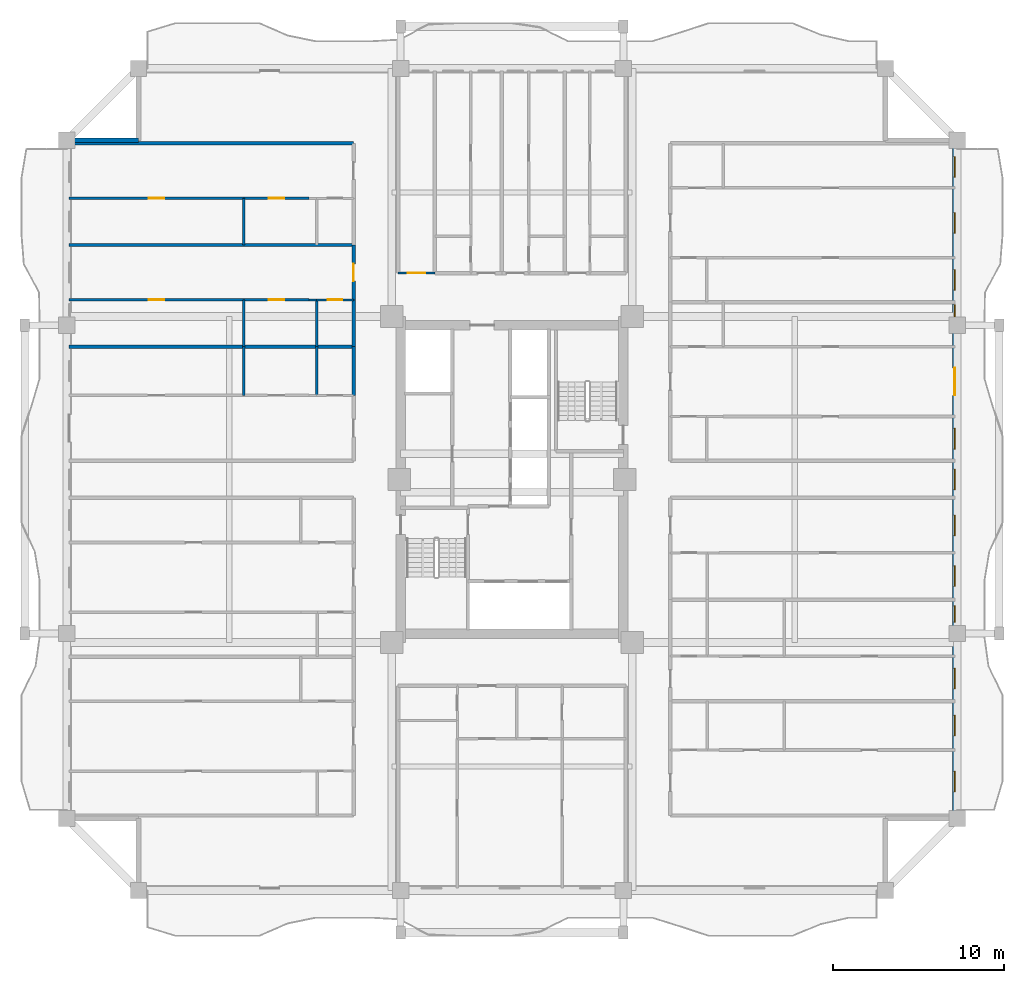
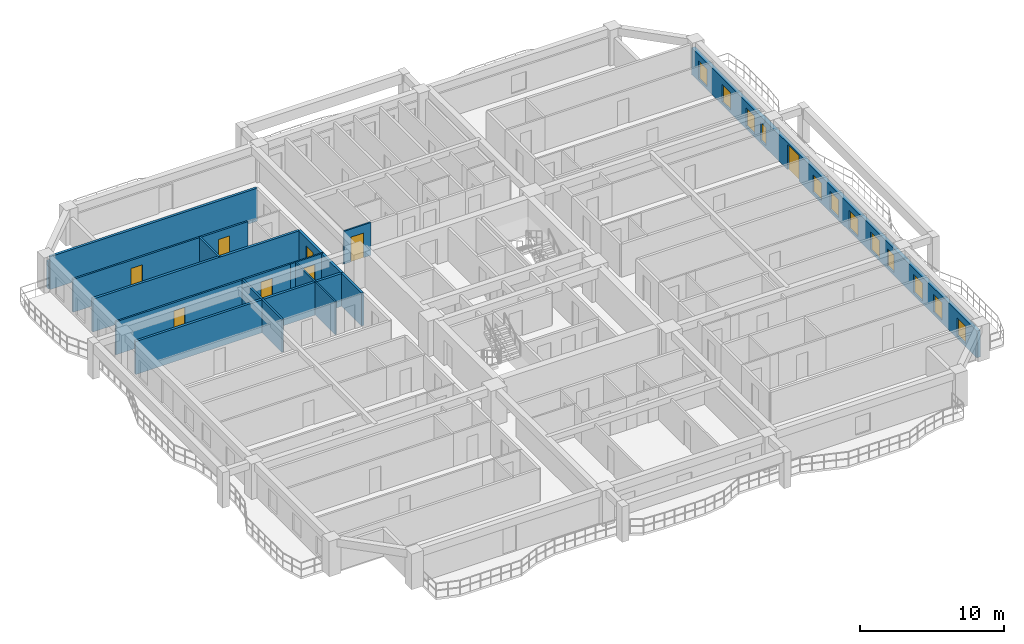
# One storey, part 6 of 14: 20 walls, 12 windows, 8 doors, 20 openings.
"""IFC4 building model written with IfcOpenShell, lengths in metres."""

import ifcopenshell
import ifcopenshell.guid

model = None  # the IFC model being written
_history = None  # IfcOwnerHistory: only IFC2X3 demands one
_inside = {}  # id of a spatial element -> (the spatial element, [elements in it])
_under = {}  # id of a project, library or spatial element -> (it, [spatial elements below it])
_declared = {}  # id of a project -> (the project, [libraries it declares])
_typed = {}  # id of a type object -> (the type object, [elements of that type])
_made_of = {}  # id of a material, layer set ... -> (it, [elements and type objects made of it])


def new_model(schema):
    """Start an empty IFC model of exactly this schema.

    Asked for "IFC4X3", IfcOpenShell would pick the latest addendum, in which some entities
    have other attributes; the version numbers below select the first issue.
    IFC2X3 requires an IfcOwnerHistory on every rooted entity: one is made here for all.
    """
    global model, _history
    if schema == "IFC4X3":
        model = ifcopenshell.file(schema_version=(4, 3, 0, 0))
    else:
        model = ifcopenshell.file(schema=schema)
    _inside.clear()
    _under.clear()
    _declared.clear()
    _typed.clear()
    _made_of.clear()
    _history = None
    if model.schema == "IFC2X3":
        org = make("IfcOrganization", Name="unknown")
        user = make(
            "IfcPersonAndOrganization",
            ThePerson=make("IfcPerson", FamilyName="unknown"),
            TheOrganization=org,
        )
        app = make(
            "IfcApplication",
            ApplicationDeveloper=org,
            Version="unknown",
            ApplicationFullName="unknown",
            ApplicationIdentifier="unknown",
        )
        _history = make(
            "IfcOwnerHistory",
            OwningUser=user,
            OwningApplication=app,
            ChangeAction="ADDED",
            CreationDate=0,
        )
    return model


def make(cls, **values):
    """One entity of the class cls with the attributes given. An attribute that is None is left unset."""
    return model.create_entity(
        cls, **{name: value for name, value in values.items() if value is not None}
    )


def rooted(cls, **values):
    """An entity with a GlobalId (a new one), such as an element, a storey or a relation."""
    return make(cls, GlobalId=ifcopenshell.guid.new(), OwnerHistory=_history, **values)


def si_unit(unit_type, name, prefix=None):
    """IfcSIUnit, for example si_unit("LENGTHUNIT", "METRE", prefix="MILLI")."""
    return make("IfcSIUnit", UnitType=unit_type, Prefix=prefix, Name=name)


def assignment(units):
    """IfcUnitAssignment: the units of a project."""
    return None if units is None else make("IfcUnitAssignment", Units=units)


def point(xyz):
    """IfcCartesianPoint."""
    return None if xyz is None else make("IfcCartesianPoint", Coordinates=xyz)


def direction(xyz):
    """IfcDirection."""
    return None if xyz is None else make("IfcDirection", DirectionRatios=xyz)


def frame(location, z_axis=None, x_axis=None):
    """IfcAxis2Placement3D, a coordinate frame: its origin and axes. An axis left out is left unset."""
    return make(
        "IfcAxis2Placement3D",
        Location=point(location),
        Axis=direction(z_axis),
        RefDirection=direction(x_axis),
    )


def frame_2d(location, x_axis=None):
    """IfcAxis2Placement2D, a coordinate frame in the plane: its origin and x axis."""
    return make(
        "IfcAxis2Placement2D", Location=point(location), RefDirection=direction(x_axis)
    )


def origin():
    """The frame at (0, 0, 0) with its axes left unset."""
    return frame((0.0, 0.0, 0.0))


def place(relative_to, where):
    """IfcLocalPlacement: puts the frame where relative to a parent placement (None: the world)."""
    return make(
        "IfcLocalPlacement", PlacementRelTo=relative_to, RelativePlacement=where
    )


def context(
    kind, dimensions, precision=None, world=None, true_north=None, identifier=None
):
    """IfcGeometricRepresentationContext, for example the 3D "Model" context."""
    return make(
        "IfcGeometricRepresentationContext",
        ContextIdentifier=identifier,
        ContextType=kind,
        CoordinateSpaceDimension=dimensions,
        Precision=precision,
        WorldCoordinateSystem=world,
        TrueNorth=true_north,
    )


def subcontext(parent, identifier, kind, view, scale=None):
    """IfcGeometricRepresentationSubContext, for example "Body" below "Model"."""
    return make(
        "IfcGeometricRepresentationSubContext",
        ContextIdentifier=identifier,
        ContextType=kind,
        ParentContext=parent,
        TargetScale=scale,
        TargetView=view,
    )


def project(units=None, contexts=None):
    """IfcProject with its units and contexts."""
    return rooted(
        "IfcProject",
        Name="project",
        RepresentationContexts=contexts,
        UnitsInContext=assignment(units),
    )


def spatial(cls, under=None, at=None, **own):
    """A site, building, storey or space (cls), placed at a placement, below another one or the project."""
    s = rooted(cls, ObjectPlacement=at, **own)
    if under is not None:
        _under.setdefault(under.id(), (under, []))[1].append(s)
    return s


def profile(cls, at=None, kind="AREA", **sizes):
    """A parametric profile (cls). Its sizes go by their IFC names, for example OverallWidth=200.0."""
    return make(cls, ProfileType=kind, Position=at, **sizes)


def rectangle(**sizes):
    """IfcRectangleProfileDef."""
    return profile("IfcRectangleProfileDef", **sizes)


def extrude(swept, where, along, depth):
    """IfcExtrudedAreaSolid: the profile swept, set in the frame where, extruded along a direction by depth."""
    return make(
        "IfcExtrudedAreaSolid",
        SweptArea=swept,
        Position=where,
        ExtrudedDirection=direction(along),
        Depth=depth,
    )


def shape(context_of_items, identifier, shape_type, items):
    """IfcShapeRepresentation: the items that make up one representation, for example the "Body"."""
    return make(
        "IfcShapeRepresentation",
        ContextOfItems=context_of_items,
        RepresentationIdentifier=identifier,
        RepresentationType=shape_type,
        Items=items,
    )


def source(mapping_origin, context_of_items, identifier, shape_type, items):
    """IfcRepresentationMap: a shape defined once, which mapped items show again and again."""
    return make(
        "IfcRepresentationMap",
        MappingOrigin=mapping_origin,
        MappedRepresentation=shape(context_of_items, identifier, shape_type, items),
    )


def transform(
    local_origin,
    x_axis=None,
    y_axis=None,
    z_axis=None,
    scale=None,
    scale2=None,
    scale3=None,
    uniform=True,
):
    """IfcCartesianTransformationOperator3D, or its non-uniform kind. x_axis, y_axis, z_axis: its Axis1, 2, 3."""
    if uniform:
        return make(
            "IfcCartesianTransformationOperator3D",
            Axis1=direction(x_axis),
            Axis2=direction(y_axis),
            LocalOrigin=point(local_origin),
            Scale=scale,
            Axis3=direction(z_axis),
        )
    return make(
        "IfcCartesianTransformationOperator3DnonUniform",
        Axis1=direction(x_axis),
        Axis2=direction(y_axis),
        LocalOrigin=point(local_origin),
        Scale=scale,
        Axis3=direction(z_axis),
        Scale2=scale2,
        Scale3=scale3,
    )


def mapped(mapping_source, mapping_target):
    """IfcMappedItem: shows the shape of a source again, moved by a transform."""
    return make(
        "IfcMappedItem", MappingSource=mapping_source, MappingTarget=mapping_target
    )


def material(Name=None, Category=None):
    """IfcMaterial."""
    return make("IfcMaterial", Name=Name, Category=Category)


def layer(
    of_material, thickness, ventilated=None, Name=None, Category=None, Priority=None
):
    """IfcMaterialLayer: one layer of a wall or slab, of a material (None: an air gap)."""
    return make(
        "IfcMaterialLayer",
        Material=of_material,
        LayerThickness=thickness,
        IsVentilated=ventilated,
        Name=Name,
        Category=Category,
        Priority=Priority,
    )


def layer_set(layers, Name=None):
    """IfcMaterialLayerSet."""
    return make("IfcMaterialLayerSet", MaterialLayers=layers, LayerSetName=Name)


def made_of(thing, what):
    """Note that an element or type object is made of a material, layer set ...; save() writes the relation."""
    if what is not None:
        _made_of.setdefault(what.id(), (what, []))[1].append(thing)
    return thing


def type_object(cls, material=None, **own):
    """A type object (cls), such as IfcWallType, which elements share."""
    return made_of(rooted(cls, **own), material)


def element(
    cls,
    number,
    at=None,
    inside=None,
    cuts=None,
    type_object=None,
    material=None,
    context=None,
    identifier="Body",
    shape_type=None,
    held_by="IfcProductDefinitionShape",
    body=None,
    shapes=None,
    **own,
):
    """One element of the class cls, such as IfcWall. Its Tag is "e" and its number.

    at: its placement. inside: the storey or other place that contains it. cuts: it is an
    opening in that element (IfcRelVoidsElement). A single representation is given by context,
    identifier, shape_type and body (its items); several are given by shapes. held_by: the class
    of the entity that holds the representations. save() writes the other relations.
    """
    e = rooted(cls, Tag="e%d" % number, ObjectPlacement=at, **own)
    if body is not None:
        shapes = [shape(context, identifier, shape_type, body)]
    if shapes is not None:
        e.Representation = make(held_by, Representations=shapes)
    if inside is not None:
        _inside.setdefault(inside.id(), (inside, []))[1].append(e)
    if cuts is not None:
        rooted(
            "IfcRelVoidsElement", RelatingBuildingElement=cuts, RelatedOpeningElement=e
        )
    if type_object is not None:
        _typed.setdefault(type_object.id(), (type_object, []))[1].append(e)
    return made_of(e, material)


def fill(opening, filler):
    """IfcRelFillsElement: the door or window that sits in an opening."""
    return rooted(
        "IfcRelFillsElement",
        RelatingOpeningElement=opening,
        RelatedBuildingElement=filler,
    )


def aggregate(whole, parts):
    """IfcRelAggregates: a whole, such as a stair, and the parts it consists of."""
    return rooted("IfcRelAggregates", RelatingObject=whole, RelatedObjects=parts)


def save(model, path):
    """Write the relations noted so far, then the file.

    IfcRelAggregates (storeys below a building ...), IfcRelContainedInSpatialStructure (elements
    in a storey), IfcRelDefinesByType, IfcRelAssociatesMaterial and IfcRelDeclares: one each for
    every whole, place, type object, material and project.
    """
    for whole, parts in _under.values():
        aggregate(whole, parts)
    for where, things in _inside.values():
        rooted(
            "IfcRelContainedInSpatialStructure",
            RelatedElements=things,
            RelatingStructure=where,
        )
    for kind, things in _typed.values():
        rooted("IfcRelDefinesByType", RelatedObjects=things, RelatingType=kind)
    for what, things in _made_of.values():
        rooted("IfcRelAssociatesMaterial", RelatedObjects=things, RelatingMaterial=what)
    for by, libraries in _declared.values():
        rooted("IfcRelDeclares", RelatingContext=by, RelatedDefinitions=libraries)
    model.write(path)


model = new_model("IFC4")

# Units and contexts
model_context = context("Model", 3, precision=1e-05, world=origin(), true_north=direction((0.0, 1.0)))
body_context = subcontext(model_context, "Body", "Model", "MODEL_VIEW")
ifc_project = project(units=[si_unit("LENGTHUNIT", "METRE"), si_unit("AREAUNIT", "SQUARE_METRE"), si_unit("VOLUMEUNIT", "CUBIC_METRE"), si_unit("PLANEANGLEUNIT", "RADIAN"), si_unit("MASSUNIT", "GRAM", prefix="KILO")], contexts=[model_context])

# Site, building, storey
site_placement = place(None, origin())
site = spatial("IfcSite", under=ifc_project, at=site_placement, CompositionType="ELEMENT")
building_placement = place(site_placement, origin())
building = spatial("IfcBuilding", under=site, at=building_placement, Name="Saelheon Loggia Tower", CompositionType="ELEMENT")
storey_placement = place(building_placement, frame((0.0, 0.0, 113.85009765625)))
storey = spatial("IfcBuildingStorey", under=building, at=storey_placement, Name="L36", CompositionType="ELEMENT", Elevation=113.85009765625)

# Wall, openings, windows, door
ifc_material_1 = material(Name="Architectural Precast Concrete C40/50", Category="concrete")
ifc_layer_1 = layer(ifc_material_1, 0.280029296875)
ifc_layer_set_1 = layer_set([ifc_layer_1], Name="Architectural Precast Concrete C40/50")
wall_type_1 = type_object("IfcWallType", Name="Wall_Ext_Loggia_280", PredefinedType="SOLIDWALL", material=ifc_layer_set_1)
wall_1_placement = place(storey_placement, frame((63.860107421875, 7.199951171875, 0.0), z_axis=(0.0, 0.0, 1.0), x_axis=(0.0, 1.0, 0.0)))
wall_1 = element("IfcWall", 1, at=wall_1_placement, inside=storey, type_object=wall_type_1, Name="L36 East Loggia Inner Wall", PredefinedType="SOLIDWALL", context=body_context, shape_type="SweptSolid", body=[
    extrude(rectangle(XDim=39.60009765625, YDim=0.280029296875, at=frame_2d((19.800048828125, 0.0))), origin(), (0.0, 0.0, 1.0), 2.27978515625),
])
opening_1_placement = place(wall_1_placement, frame((1.559814453125, 0.0, 0.25)))
opening_1 = element("IfcOpeningElement", 2, at=opening_1_placement, cuts=wall_1, Name="Opening WN-03", PredefinedType="OPENING", context=body_context, shape_type="SweptSolid", body=[
    extrude(rectangle(XDim=1.199951171875, YDim=1.5, at=frame_2d((0.60009765625, 0.75))), frame((0.0, 0.152099609375, 0.0), z_axis=(0.0, -1.0, 0.0), x_axis=(1.0, 0.0, 0.0)), (0.0, 0.0, 1.0), 0.303955078125),
])
opening_2_placement = place(wall_1_placement, frame((4.829345703125, 0.0, 0.25)))
opening_2 = element("IfcOpeningElement", 3, at=opening_2_placement, cuts=wall_1, Name="Opening WN-03", PredefinedType="OPENING", context=body_context, shape_type="SweptSolid", body=[
    extrude(rectangle(XDim=1.199951171875, YDim=1.5, at=frame_2d((0.60009765625, 0.75))), frame((0.0, 0.152099609375, 0.0), z_axis=(0.0, -1.0, 0.0), x_axis=(1.0, 0.0, 0.0)), (0.0, 0.0, 1.0), 0.303955078125),
])
opening_3_placement = place(wall_1_placement, frame((7.567138671875, 0.0, 0.25)))
opening_3 = element("IfcOpeningElement", 4, at=opening_3_placement, cuts=wall_1, Name="Opening WN-03", PredefinedType="OPENING", context=body_context, shape_type="SweptSolid", body=[
    extrude(rectangle(XDim=1.199951171875, YDim=1.5, at=frame_2d((0.60009765625, 0.75))), frame((0.0, 0.152099609375, 0.0), z_axis=(0.0, -1.0, 0.0), x_axis=(1.0, 0.0, 0.0)), (0.0, 0.0, 1.0), 0.303955078125),
])
opening_4_placement = place(wall_1_placement, frame((11.47607421875, 0.0, 0.25)))
opening_4 = element("IfcOpeningElement", 5, at=opening_4_placement, cuts=wall_1, Name="Opening WN-04", PredefinedType="OPENING", context=body_context, shape_type="SweptSolid", body=[
    extrude(rectangle(XDim=0.949951171875, YDim=1.5, at=frame_2d((0.47509765625, 0.75))), frame((0.0, 0.152099609375, 0.0), z_axis=(0.0, -1.0, 0.0), x_axis=(1.0, 0.0, 0.0)), (0.0, 0.0, 1.0), 0.303955078125),
])
opening_5_placement = place(wall_1_placement, frame((13.5517578125, 0.0, 0.25)))
opening_5 = element("IfcOpeningElement", 6, at=opening_5_placement, cuts=wall_1, Name="Opening WN-03", PredefinedType="OPENING", context=body_context, shape_type="SweptSolid", body=[
    extrude(rectangle(XDim=1.199951171875, YDim=1.5, at=frame_2d((0.60009765625, 0.75))), frame((0.0, 0.152099609375, 0.0), z_axis=(0.0, -1.0, 0.0), x_axis=(1.0, 0.0, 0.0)), (0.0, 0.0, 1.0), 0.303955078125),
])
opening_6_placement = place(wall_1_placement, frame((16.51806640625, 0.0, 0.25)))
opening_6 = element("IfcOpeningElement", 7, at=opening_6_placement, cuts=wall_1, Name="Opening WN-03", PredefinedType="OPENING", context=body_context, shape_type="SweptSolid", body=[
    extrude(rectangle(XDim=1.199951171875, YDim=1.5, at=frame_2d((0.60009765625, 0.75))), frame((0.0, 0.152099609375, 0.0), z_axis=(0.0, -1.0, 0.0), x_axis=(1.0, 0.0, 0.0)), (0.0, 0.0, 1.0), 0.303955078125),
])
opening_7_placement = place(wall_1_placement, frame((19.199951171875, 0.0, 0.25)))
opening_7 = element("IfcOpeningElement", 8, at=opening_7_placement, cuts=wall_1, Name="Opening WN-03", PredefinedType="OPENING", context=body_context, shape_type="SweptSolid", body=[
    extrude(rectangle(XDim=1.199951171875, YDim=1.5, at=frame_2d((0.60009765625, 0.75))), frame((0.0, 0.152099609375, 0.0), z_axis=(0.0, -1.0, 0.0), x_axis=(1.0, 0.0, 0.0)), (0.0, 0.0, 1.0), 0.303955078125),
])
opening_8_placement = place(wall_1_placement, frame((21.577880859375, 0.0, 0.25)))
opening_8 = element("IfcOpeningElement", 9, at=opening_8_placement, cuts=wall_1, Name="Opening WN-03", PredefinedType="OPENING", context=body_context, shape_type="SweptSolid", body=[
    extrude(rectangle(XDim=1.199951171875, YDim=1.5, at=frame_2d((0.60009765625, 0.75))), frame((0.0, 0.152099609375, 0.0), z_axis=(0.0, -1.0, 0.0), x_axis=(1.0, 0.0, 0.0)), (0.0, 0.0, 1.0), 0.303955078125),
])
opening_9_placement = place(wall_1_placement, frame((26.31298828125, 0.0, 0.0), z_axis=(0.0, 0.0, 1.0), x_axis=(-1.0, 0.0, 0.0)))
opening_9 = element("IfcOpeningElement", 10, at=opening_9_placement, cuts=wall_1, Name="Opening DLG-1", PredefinedType="OPENING", context=body_context, shape_type="SweptSolid", body=[
    extrude(rectangle(XDim=1.60009765625, YDim=2.14990234375, at=frame_2d((0.800048828125, 1.074951171875))), frame((0.0, 0.152099609375, 0.0), z_axis=(0.0, -1.0, 0.0), x_axis=(1.0, 0.0, 0.0)), (0.0, 0.0, 1.0), 0.303955078125),
])
opening_10_placement = place(wall_1_placement, frame((29.304931640625, 0.0, 0.25)))
opening_10 = element("IfcOpeningElement", 11, at=opening_10_placement, cuts=wall_1, Name="Opening WN-06", PredefinedType="OPENING", context=body_context, shape_type="SweptSolid", body=[
    extrude(rectangle(XDim=0.699951171875, YDim=1.5, at=frame_2d((0.35009765625, 0.75))), frame((0.0, 0.152099609375, 0.0), z_axis=(0.0, -1.0, 0.0), x_axis=(1.0, 0.0, 0.0)), (0.0, 0.0, 1.0), 0.303955078125),
])
opening_11_placement = place(wall_1_placement, frame((30.847900390625, 0.0, 0.25)))
opening_11 = element("IfcOpeningElement", 12, at=opening_11_placement, cuts=wall_1, Name="Opening WN-03", PredefinedType="OPENING", context=body_context, shape_type="SweptSolid", body=[
    extrude(rectangle(XDim=1.199951171875, YDim=1.5, at=frame_2d((0.60009765625, 0.75))), frame((0.0, 0.152099609375, 0.0), z_axis=(0.0, -1.0, 0.0), x_axis=(1.0, 0.0, 0.0)), (0.0, 0.0, 1.0), 0.303955078125),
])
opening_12_placement = place(wall_1_placement, frame((34.182861328125, 0.0, 0.25)))
opening_12 = element("IfcOpeningElement", 13, at=opening_12_placement, cuts=wall_1, Name="Opening WN-03", PredefinedType="OPENING", context=body_context, shape_type="SweptSolid", body=[
    extrude(rectangle(XDim=1.199951171875, YDim=1.5, at=frame_2d((0.60009765625, 0.75))), frame((0.0, 0.152099609375, 0.0), z_axis=(0.0, -1.0, 0.0), x_axis=(1.0, 0.0, 0.0)), (0.0, 0.0, 1.0), 0.303955078125),
])
opening_13_placement = place(wall_1_placement, frame((37.452392578125, 0.0, 0.25)))
opening_13 = element("IfcOpeningElement", 14, at=opening_13_placement, cuts=wall_1, Name="Opening WN-03", PredefinedType="OPENING", context=body_context, shape_type="SweptSolid", body=[
    extrude(rectangle(XDim=1.199951171875, YDim=1.5, at=frame_2d((0.60009765625, 0.75))), frame((0.0, 0.152099609375, 0.0), z_axis=(0.0, -1.0, 0.0), x_axis=(1.0, 0.0, 0.0)), (0.0, 0.0, 1.0), 0.303955078125),
])
ifc_material_2 = material(Name="Thermal-Break Aluminium and Triple Low-E Glass", Category="aluminium")
window_type_1 = type_object("IfcWindowType", Name="Win_Slot_700x1500", PartitioningType="SINGLE_PANEL", PredefinedType="WINDOW", material=ifc_material_2)
shared_shape_1 = source(origin(), body_context, "Body", "SweptSolid", [
    extrude(rectangle(XDim=0.699951171875, YDim=1.5, at=frame_2d((0.35009765625, 0.75))), frame((0.0, 0.030029296875, 0.0), z_axis=(0.0, -1.0, 0.0), x_axis=(1.0, 0.0, 0.0)), (0.0, 0.0, 1.0), 0.06005859375),
])
window_1_placement = place(opening_10_placement, origin())
window_1 = element("IfcWindow", 15, at=window_1_placement, inside=storey, type_object=window_type_1, Name="L36 E Dwelling Window 10", OverallHeight=1.5, OverallWidth=0.699951171875, PartitioningType="SINGLE_PANEL", PredefinedType="WINDOW", context=body_context, shape_type="MappedRepresentation", body=[
    mapped(shared_shape_1, transform((0.0, 0.0, 0.0), scale=1.0)),
])
fill(opening_10, window_1)
window_type_2 = type_object("IfcWindowType", Name="Win_Bedroom_1200x1500", PartitioningType="SINGLE_PANEL", PredefinedType="WINDOW", material=ifc_material_2)
shared_shape_2 = source(origin(), body_context, "Body", "SweptSolid", [
    extrude(rectangle(XDim=1.199951171875, YDim=1.5, at=frame_2d((0.60009765625, 0.75))), frame((0.0, 0.030029296875, 0.0), z_axis=(0.0, -1.0, 0.0), x_axis=(1.0, 0.0, 0.0)), (0.0, 0.0, 1.0), 0.06005859375),
])
window_2_placement = place(opening_1_placement, origin())
window_2 = element("IfcWindow", 16, at=window_2_placement, inside=storey, type_object=window_type_2, Name="L36 E Dwelling Window 1", OverallHeight=1.5, OverallWidth=1.199951171875, PartitioningType="SINGLE_PANEL", PredefinedType="WINDOW", context=body_context, shape_type="MappedRepresentation", body=[
    mapped(shared_shape_2, transform((0.0, 0.0, 0.0), scale=1.0)),
])
fill(opening_1, window_2)
window_3_placement = place(opening_2_placement, origin())
window_3 = element("IfcWindow", 17, at=window_3_placement, inside=storey, type_object=window_type_2, Name="L36 E Dwelling Window 2", OverallHeight=1.5, OverallWidth=1.199951171875, PartitioningType="SINGLE_PANEL", PredefinedType="WINDOW", context=body_context, shape_type="MappedRepresentation", body=[
    mapped(shared_shape_2, transform((0.0, 0.0, 0.0), scale=1.0)),
])
fill(opening_2, window_3)
window_4_placement = place(opening_3_placement, origin())
window_4 = element("IfcWindow", 18, at=window_4_placement, inside=storey, type_object=window_type_2, Name="L36 E Dwelling Window 3", OverallHeight=1.5, OverallWidth=1.199951171875, PartitioningType="SINGLE_PANEL", PredefinedType="WINDOW", context=body_context, shape_type="MappedRepresentation", body=[
    mapped(shared_shape_2, transform((0.0, 0.0, 0.0), scale=1.0)),
])
fill(opening_3, window_4)
window_5_placement = place(opening_5_placement, origin())
window_5 = element("IfcWindow", 19, at=window_5_placement, inside=storey, type_object=window_type_2, Name="L36 E Dwelling Window 5", OverallHeight=1.5, OverallWidth=1.199951171875, PartitioningType="SINGLE_PANEL", PredefinedType="WINDOW", context=body_context, shape_type="MappedRepresentation", body=[
    mapped(shared_shape_2, transform((0.0, 0.0, 0.0), scale=1.0)),
])
fill(opening_5, window_5)
window_6_placement = place(opening_6_placement, origin())
window_6 = element("IfcWindow", 20, at=window_6_placement, inside=storey, type_object=window_type_2, Name="L36 E Dwelling Window 6", OverallHeight=1.5, OverallWidth=1.199951171875, PartitioningType="SINGLE_PANEL", PredefinedType="WINDOW", context=body_context, shape_type="MappedRepresentation", body=[
    mapped(shared_shape_2, transform((0.0, 0.0, 0.0), scale=1.0)),
])
fill(opening_6, window_6)
window_7_placement = place(opening_7_placement, origin())
window_7 = element("IfcWindow", 21, at=window_7_placement, inside=storey, type_object=window_type_2, Name="L36 E Dwelling Window 7", OverallHeight=1.5, OverallWidth=1.199951171875, PartitioningType="SINGLE_PANEL", PredefinedType="WINDOW", context=body_context, shape_type="MappedRepresentation", body=[
    mapped(shared_shape_2, transform((0.0, 0.0, 0.0), scale=1.0)),
])
fill(opening_7, window_7)
window_8_placement = place(opening_8_placement, origin())
window_8 = element("IfcWindow", 22, at=window_8_placement, inside=storey, type_object=window_type_2, Name="L36 E Dwelling Window 8", OverallHeight=1.5, OverallWidth=1.199951171875, PartitioningType="SINGLE_PANEL", PredefinedType="WINDOW", context=body_context, shape_type="MappedRepresentation", body=[
    mapped(shared_shape_2, transform((0.0, 0.0, 0.0), scale=1.0)),
])
fill(opening_8, window_8)
window_9_placement = place(opening_11_placement, origin())
window_9 = element("IfcWindow", 23, at=window_9_placement, inside=storey, type_object=window_type_2, Name="L36 E Dwelling Window 11", OverallHeight=1.5, OverallWidth=1.199951171875, PartitioningType="SINGLE_PANEL", PredefinedType="WINDOW", context=body_context, shape_type="MappedRepresentation", body=[
    mapped(shared_shape_2, transform((0.0, 0.0, 0.0), scale=1.0)),
])
fill(opening_11, window_9)
window_10_placement = place(opening_12_placement, origin())
window_10 = element("IfcWindow", 24, at=window_10_placement, inside=storey, type_object=window_type_2, Name="L36 E Dwelling Window 12", OverallHeight=1.5, OverallWidth=1.199951171875, PartitioningType="SINGLE_PANEL", PredefinedType="WINDOW", context=body_context, shape_type="MappedRepresentation", body=[
    mapped(shared_shape_2, transform((0.0, 0.0, 0.0), scale=1.0)),
])
fill(opening_12, window_10)
window_11_placement = place(opening_13_placement, origin())
window_11 = element("IfcWindow", 25, at=window_11_placement, inside=storey, type_object=window_type_2, Name="L36 E Dwelling Window 13", OverallHeight=1.5, OverallWidth=1.199951171875, PartitioningType="SINGLE_PANEL", PredefinedType="WINDOW", context=body_context, shape_type="MappedRepresentation", body=[
    mapped(shared_shape_2, transform((0.0, 0.0, 0.0), scale=1.0)),
])
fill(opening_13, window_11)
window_type_3 = type_object("IfcWindowType", Name="Win_Narrow_950x1500", PartitioningType="SINGLE_PANEL", PredefinedType="WINDOW", material=ifc_material_2)
shared_shape_3 = source(origin(), body_context, "Body", "SweptSolid", [
    extrude(rectangle(XDim=0.949951171875, YDim=1.5, at=frame_2d((0.47509765625, 0.75))), frame((0.0, 0.030029296875, 0.0), z_axis=(0.0, -1.0, 0.0), x_axis=(1.0, 0.0, 0.0)), (0.0, 0.0, 1.0), 0.06005859375),
])
window_12_placement = place(opening_4_placement, origin())
window_12 = element("IfcWindow", 26, at=window_12_placement, inside=storey, type_object=window_type_3, Name="L36 E Dwelling Window 4", OverallHeight=1.5, OverallWidth=0.949951171875, PartitioningType="SINGLE_PANEL", PredefinedType="WINDOW", context=body_context, shape_type="MappedRepresentation", body=[
    mapped(shared_shape_3, transform((0.0, 0.0, 0.0), scale=1.0)),
])
fill(opening_4, window_12)
ifc_material_3 = material(Name="Thermal-Break Aluminium Sliding Glazed Door", Category="aluminium")
door_type_1 = type_object("IfcDoorType", Name="Door_LoggiaSlide_1600", OperationType="SLIDING_TO_LEFT", PredefinedType="DOOR", material=ifc_material_3)
shared_shape_4 = source(origin(), body_context, "Body", "SweptSolid", [
    extrude(rectangle(XDim=1.60009765625, YDim=2.14990234375, at=frame_2d((0.800048828125, 1.074951171875))), frame((0.0, 0.02490234375, 0.0), z_axis=(0.0, -1.0, 0.0), x_axis=(1.0, 0.0, 0.0)), (0.0, 0.0, 1.0), 0.050048828125),
])
door_1_placement = place(opening_9_placement, origin())
door_1 = element("IfcDoor", 27, at=door_1_placement, inside=storey, type_object=door_type_1, Name="L36 E Loggia Access Door", OperationType="SLIDING_TO_LEFT", OverallHeight=2.14990234375, OverallWidth=1.60009765625, PredefinedType="DOOR", context=body_context, shape_type="MappedRepresentation", body=[
    mapped(shared_shape_4, transform((0.0, 0.0, 0.0), scale=1.0)),
])
fill(opening_9, door_1)

# Walls
wall_2_placement = place(storey_placement, frame((12.080078125, 46.800048828125, 0.0), z_axis=(0.0, 0.0, 1.0), x_axis=(1.0, 0.0, 0.0)))
element("IfcWall", 28, at=wall_2_placement, inside=storey, type_object=wall_type_1, Name="L36 Corner Notch Precast Wall NW2", PredefinedType="SOLIDWALL", context=body_context, shape_type="SweptSolid", body=[
    extrude(rectangle(XDim=4.119873046875, YDim=0.280029296875, at=frame_2d((2.06005859375, 0.0))), origin(), (0.0, 0.0, 1.0), 2.27978515625),
])
ifc_material_4 = material(Name="Lightweight Autoclaved Aerated Concrete Block and Acoustic Gypsum", Category="concrete")
ifc_layer_2 = layer(ifc_material_4, 0.14990234375)
ifc_layer_set_2 = layer_set([ifc_layer_2], Name="Lightweight Autoclaved Aerated Concrete Block and Acoustic Gypsum")
wall_type_2 = type_object("IfcWallType", Name="Wall_Part_150", PredefinedType="PARTITIONING", material=ifc_layer_set_2)
wall_3_placement = place(storey_placement, frame((22.35009765625, 31.904296875, 0.0), z_axis=(0.0, 0.0, 1.0), x_axis=(0.0, 1.0, 0.0)))
element("IfcWall", 29, at=wall_3_placement, inside=storey, type_object=wall_type_2, Name="L36 WN Partition V08", PredefinedType="PARTITIONING", context=body_context, shape_type="SweptSolid", body=[
    extrude(rectangle(XDim=2.85009765625, YDim=0.14990234375, at=frame_2d((1.425048828125, 0.0))), origin(), (0.0, 0.0, 1.0), 2.789794921875),
])
wall_4_placement = place(storey_placement, frame((22.35009765625, 34.75439453125, 0.0), z_axis=(0.0, 0.0, 1.0), x_axis=(0.0, 1.0, 0.0)))
element("IfcWall", 30, at=wall_4_placement, inside=storey, type_object=wall_type_2, Name="L36 WN Partition V17", PredefinedType="PARTITIONING", context=body_context, shape_type="SweptSolid", body=[
    extrude(rectangle(XDim=2.72900390625, YDim=0.14990234375, at=frame_2d((1.364501953125, 0.0))), origin(), (0.0, 0.0, 1.0), 2.789794921875),
])

# Wall, opening, door
wall_5_placement = place(storey_placement, frame((26.14990234375, 37.4833984375, 0.0), z_axis=(0.0, 0.0, 1.0), x_axis=(-1.0, 0.0, 0.0)))
wall_5 = element("IfcWall", 31, at=wall_5_placement, inside=storey, type_object=wall_type_2, Name="L36 WN Partition U18", PredefinedType="PARTITIONING", context=body_context, shape_type="SweptSolid", body=[
    extrude(rectangle(XDim=3.7998046875, YDim=0.14990234375, at=frame_2d((1.89990234375, 0.0))), origin(), (0.0, 0.0, 1.0), 2.789794921875),
])
opening_14_placement = place(wall_5_placement, frame((1.449951171875, 0.0, 0.0)))
opening_14 = element("IfcOpeningElement", 32, at=opening_14_placement, cuts=wall_5, Name="Opening D-IN2", PredefinedType="OPENING", context=body_context, shape_type="SweptSolid", body=[
    extrude(rectangle(XDim=0.89990234375, YDim=2.10009765625, at=frame_2d((0.449951171875, 1.050048828125))), frame((0.0, 0.0869140625, 0.0), z_axis=(0.0, -1.0, 0.0), x_axis=(1.0, 0.0, 0.0)), (0.0, 0.0, 1.0), 0.173828125),
])
ifc_material_5 = material(Name="Engineered Oak Flush Door", Category="timber")
door_type_2 = type_object("IfcDoorType", Name="Door_Int_900", OperationType="NOTDEFINED", PredefinedType="DOOR", material=ifc_material_5)
shared_shape_5 = source(origin(), body_context, "Body", "SweptSolid", [
    extrude(rectangle(XDim=0.89990234375, YDim=2.10009765625, at=frame_2d((0.449951171875, 1.050048828125))), frame((0.0, 0.02490234375, 0.0), z_axis=(0.0, -1.0, 0.0), x_axis=(1.0, 0.0, 0.0)), (0.0, 0.0, 1.0), 0.050048828125),
])
door_2_placement = place(opening_14_placement, origin())
door_2 = element("IfcDoor", 33, at=door_2_placement, inside=storey, type_object=door_type_2, Name="Unit U08 Kitchen Door", OperationType="SINGLE_SWING_LEFT", OverallHeight=2.10009765625, OverallWidth=0.89990234375, PredefinedType="DOOR", context=body_context, shape_type="MappedRepresentation", body=[
    mapped(shared_shape_5, transform((0.0, 0.0, 0.0), scale=1.0)),
])
fill(opening_14, door_2)

wall_6_placement = place(storey_placement, frame((22.35009765625, 37.4833984375, 0.0), z_axis=(0.0, 0.0, 1.0), x_axis=(-1.0, 0.0, 0.0)))
wall_6 = element("IfcWall", 34, at=wall_6_placement, inside=storey, type_object=wall_type_2, Name="L36 WN Partition U19", PredefinedType="PARTITIONING", context=body_context, shape_type="SweptSolid", body=[
    extrude(rectangle(XDim=10.2001953125, YDim=0.14990234375, at=frame_2d((5.10009765625, 0.0))), origin(), (0.0, 0.0, 1.0), 2.789794921875),
])
opening_15_placement = place(wall_6_placement, frame((4.64990234375, 0.0, 0.0)))
opening_15 = element("IfcOpeningElement", 35, at=opening_15_placement, cuts=wall_6, Name="Opening D-IN2", PredefinedType="OPENING", context=body_context, shape_type="SweptSolid", body=[
    extrude(rectangle(XDim=0.89990234375, YDim=2.10009765625, at=frame_2d((0.449951171875, 1.050048828125))), frame((0.0, 0.0869140625, 0.0), z_axis=(0.0, -1.0, 0.0), x_axis=(1.0, 0.0, 0.0)), (0.0, 0.0, 1.0), 0.173828125),
])
door_3_placement = place(opening_15_placement, origin())
door_3 = element("IfcDoor", 36, at=door_3_placement, inside=storey, type_object=door_type_2, Name="Unit U08 Bedroom 1 Door", OperationType="SINGLE_SWING_RIGHT", OverallHeight=2.10009765625, OverallWidth=0.89990234375, PredefinedType="DOOR", context=body_context, shape_type="MappedRepresentation", body=[
    mapped(shared_shape_5, transform((0.0, 0.0, 0.0), scale=1.0)),
])
fill(opening_15, door_3)

# Wall
wall_7_placement = place(storey_placement, frame((22.35009765625, 40.687255859375, 0.0), z_axis=(0.0, 0.0, 1.0), x_axis=(0.0, 1.0, 0.0)))
element("IfcWall", 37, at=wall_7_placement, inside=storey, type_object=wall_type_2, Name="L36 WN Partition V26", PredefinedType="PARTITIONING", context=body_context, shape_type="SweptSolid", body=[
    extrude(rectangle(XDim=2.72900390625, YDim=0.14990234375, at=frame_2d((1.364501953125, 0.0))), origin(), (0.0, 0.0, 1.0), 2.789794921875),
])

# Wall, opening, door
wall_8_placement = place(storey_placement, frame((26.14990234375, 43.416259765625, 0.0), z_axis=(0.0, 0.0, 1.0), x_axis=(-1.0, 0.0, 0.0)))
wall_8 = element("IfcWall", 38, at=wall_8_placement, inside=storey, type_object=wall_type_2, Name="L36 WN Partition U27", PredefinedType="PARTITIONING", context=body_context, shape_type="SweptSolid", body=[
    extrude(rectangle(XDim=3.7998046875, YDim=0.14990234375, at=frame_2d((1.89990234375, 0.0))), origin(), (0.0, 0.0, 1.0), 2.789794921875),
])
opening_16_placement = place(wall_8_placement, frame((1.449951171875, 0.0, 0.0)))
opening_16 = element("IfcOpeningElement", 39, at=opening_16_placement, cuts=wall_8, Name="Opening D-IN2", PredefinedType="OPENING", context=body_context, shape_type="SweptSolid", body=[
    extrude(rectangle(XDim=0.89990234375, YDim=2.10009765625, at=frame_2d((0.449951171875, 1.050048828125))), frame((0.0, 0.0869140625, 0.0), z_axis=(0.0, -1.0, 0.0), x_axis=(1.0, 0.0, 0.0)), (0.0, 0.0, 1.0), 0.173828125),
])
door_4_placement = place(opening_16_placement, origin())
door_4 = element("IfcDoor", 40, at=door_4_placement, inside=storey, type_object=door_type_2, Name="Unit U09 Kitchen Door", OperationType="SINGLE_SWING_LEFT", OverallHeight=2.10009765625, OverallWidth=0.89990234375, PredefinedType="DOOR", context=body_context, shape_type="MappedRepresentation", body=[
    mapped(shared_shape_5, transform((0.0, 0.0, 0.0), scale=1.0)),
])
fill(opening_16, door_4)

wall_9_placement = place(storey_placement, frame((22.35009765625, 43.416259765625, 0.0), z_axis=(0.0, 0.0, 1.0), x_axis=(-1.0, 0.0, 0.0)))
wall_9 = element("IfcWall", 41, at=wall_9_placement, inside=storey, type_object=wall_type_2, Name="L36 WN Partition U28", PredefinedType="PARTITIONING", context=body_context, shape_type="SweptSolid", body=[
    extrude(rectangle(XDim=10.2001953125, YDim=0.14990234375, at=frame_2d((5.10009765625, 0.0))), origin(), (0.0, 0.0, 1.0), 2.789794921875),
])
opening_17_placement = place(wall_9_placement, frame((4.64990234375, 0.0, 0.0)))
opening_17 = element("IfcOpeningElement", 42, at=opening_17_placement, cuts=wall_9, Name="Opening D-IN2", PredefinedType="OPENING", context=body_context, shape_type="SweptSolid", body=[
    extrude(rectangle(XDim=0.89990234375, YDim=2.10009765625, at=frame_2d((0.449951171875, 1.050048828125))), frame((0.0, 0.0869140625, 0.0), z_axis=(0.0, -1.0, 0.0), x_axis=(1.0, 0.0, 0.0)), (0.0, 0.0, 1.0), 0.173828125),
])
door_5_placement = place(opening_17_placement, origin())
door_5 = element("IfcDoor", 43, at=door_5_placement, inside=storey, type_object=door_type_2, Name="Unit U09 Bedroom 1 Door", OperationType="SINGLE_SWING_RIGHT", OverallHeight=2.10009765625, OverallWidth=0.89990234375, PredefinedType="DOOR", context=body_context, shape_type="MappedRepresentation", body=[
    mapped(shared_shape_5, transform((0.0, 0.0, 0.0), scale=1.0)),
])
fill(opening_17, door_5)

# Walls
ifc_material_6 = material(Name="Double Acoustic Stud and Fireboard Partition", Category="gypsum")
ifc_layer_3 = layer(ifc_material_6, 0.199951171875)
ifc_layer_set_3 = layer_set([ifc_layer_3], Name="Double Acoustic Stud and Fireboard Partition")
wall_type_3 = type_object("IfcWallType", Name="Wall_Party_200", PredefinedType="PARTITIONING", material=ifc_layer_set_3)
wall_10_placement = place(storey_placement, frame((28.75, 46.6201171875, 0.0), z_axis=(0.0, 0.0, 1.0), x_axis=(-1.0, 0.0, 0.0)))
element("IfcWall", 44, at=wall_10_placement, inside=storey, type_object=wall_type_3, Name="L36 WN Partition U02", PredefinedType="PARTITIONING", context=body_context, shape_type="SweptSolid", body=[
    extrude(rectangle(XDim=16.60009765625, YDim=0.199951171875, at=frame_2d((8.300048828125, 0.0))), origin(), (0.0, 0.0, 1.0), 2.789794921875),
])
wall_11_placement = place(storey_placement, frame((28.75, 31.904296875, 0.0), z_axis=(0.0, 0.0, 1.0), x_axis=(0.0, 1.0, 0.0)))
element("IfcWall", 45, at=wall_11_placement, inside=storey, type_object=wall_type_3, Name="L36 WN Partition V04", PredefinedType="PARTITIONING", context=body_context, shape_type="SweptSolid", body=[
    extrude(rectangle(XDim=2.85009765625, YDim=0.199951171875, at=frame_2d((1.425048828125, 0.0))), origin(), (0.0, 0.0, 1.0), 2.789794921875),
])
wall_12_placement = place(storey_placement, frame((28.75, 34.75439453125, 0.0), z_axis=(0.0, 0.0, 1.0), x_axis=(-1.0, 0.0, 0.0)))
element("IfcWall", 46, at=wall_12_placement, inside=storey, type_object=wall_type_3, Name="L36 WN Partition U11", PredefinedType="PARTITIONING", context=body_context, shape_type="SweptSolid", body=[
    extrude(rectangle(XDim=16.60009765625, YDim=0.199951171875, at=frame_2d((8.300048828125, 0.0))), origin(), (0.0, 0.0, 1.0), 2.789794921875),
])
wall_13_placement = place(storey_placement, frame((28.75, 34.75439453125, 0.0), z_axis=(0.0, 0.0, 1.0), x_axis=(0.0, 1.0, 0.0)))
element("IfcWall", 47, at=wall_13_placement, inside=storey, type_object=wall_type_3, Name="L36 WN Partition V12", PredefinedType="PARTITIONING", context=body_context, shape_type="SweptSolid", body=[
    extrude(rectangle(XDim=2.72900390625, YDim=0.199951171875, at=frame_2d((1.364501953125, 0.0))), origin(), (0.0, 0.0, 1.0), 2.789794921875),
])

# Wall, opening, door
wall_14_placement = place(storey_placement, frame((28.75, 37.4833984375, 0.0), z_axis=(0.0, 0.0, 1.0), x_axis=(0.0, 1.0, 0.0)))
wall_14 = element("IfcWall", 48, at=wall_14_placement, inside=storey, type_object=wall_type_3, Name="L36 WN Partition V13", PredefinedType="PARTITIONING", context=body_context, shape_type="SweptSolid", body=[
    extrude(rectangle(XDim=3.203857421875, YDim=0.199951171875, at=frame_2d((1.60205078125, 0.0))), origin(), (0.0, 0.0, 1.0), 2.789794921875),
])
opening_18_placement = place(wall_14_placement, frame((1.101806640625, 0.0, 0.0)))
opening_18 = element("IfcOpeningElement", 49, at=opening_18_placement, cuts=wall_14, Name="Opening D-FD1", PredefinedType="OPENING", context=body_context, shape_type="SweptSolid", body=[
    extrude(rectangle(XDim=1.0, YDim=2.14990234375, at=frame_2d((0.5, 1.074951171875))), frame((0.0, 0.112060546875, 0.0), z_axis=(0.0, -1.0, 0.0), x_axis=(1.0, 0.0, 0.0)), (0.0, 0.0, 1.0), 0.223876953125),
])
ifc_material_7 = material(Name="Fire-Rated Engineered Timber Entrance Door", Category="wood")
door_type_3 = type_object("IfcDoorType", Name="Door_Flat_FD30S", OperationType="NOTDEFINED", PredefinedType="DOOR", material=ifc_material_7)
shared_shape_6 = source(origin(), body_context, "Body", "SweptSolid", [
    extrude(rectangle(XDim=1.0, YDim=2.14990234375, at=frame_2d((0.5, 1.074951171875))), frame((0.0, 0.02490234375, 0.0), z_axis=(0.0, -1.0, 0.0), x_axis=(1.0, 0.0, 0.0)), (0.0, 0.0, 1.0), 0.050048828125),
])
door_6_placement = place(opening_18_placement, origin())
door_6 = element("IfcDoor", 50, at=door_6_placement, inside=storey, type_object=door_type_3, Name="Unit U08 Entrance Door", OperationType="SINGLE_SWING_LEFT", OverallHeight=2.14990234375, OverallWidth=1.0, PredefinedType="DOOR", context=body_context, shape_type="MappedRepresentation", body=[
    mapped(shared_shape_6, transform((0.0, 0.0, 0.0), scale=1.0)),
])
fill(opening_18, door_6)

# Wall
wall_15_placement = place(storey_placement, frame((28.75, 40.687255859375, 0.0), z_axis=(0.0, 0.0, 1.0), x_axis=(-1.0, 0.0, 0.0)))
element("IfcWall", 51, at=wall_15_placement, inside=storey, type_object=wall_type_3, Name="L36 WN Partition U20", PredefinedType="PARTITIONING", context=body_context, shape_type="SweptSolid", body=[
    extrude(rectangle(XDim=16.60009765625, YDim=0.199951171875, at=frame_2d((8.300048828125, 0.0))), origin(), (0.0, 0.0, 1.0), 2.789794921875),
])

# Wall, opening, door
ifc_material_8 = material(Name="Moisture-Resistant Cement Board Partition", Category="gypsum")
ifc_layer_4 = layer(ifc_material_8, 0.1201171875)
ifc_layer_set_4 = layer_set([ifc_layer_4], Name="Moisture-Resistant Cement Board Partition")
wall_type_4 = type_object("IfcWallType", Name="Wall_WetPart_120", PredefinedType="PARTITIONING", material=ifc_layer_set_4)
wall_16_placement = place(storey_placement, frame((31.35009765625, 39.050048828125, 0.0), z_axis=(0.0, 0.0, 1.0), x_axis=(1.0, 0.0, 0.0)))
wall_16 = element("IfcWall", 52, at=wall_16_placement, inside=storey, type_object=wall_type_4, Name="L36 N Partition V04", PredefinedType="PARTITIONING", context=body_context, shape_type="SweptSolid", body=[
    extrude(rectangle(XDim=2.14990234375, YDim=0.1201171875, at=frame_2d((1.074951171875, 0.0))), origin(), (0.0, 0.0, 1.0), 2.789794921875),
])
opening_19_placement = place(wall_16_placement, frame((0.574951171875, 0.0, 0.0)))
opening_19 = element("IfcOpeningElement", 53, at=opening_19_placement, cuts=wall_16, Name="Opening D-AC1", PredefinedType="OPENING", context=body_context, shape_type="SweptSolid", body=[
    extrude(rectangle(XDim=1.0, YDim=2.10009765625, at=frame_2d((0.5, 1.050048828125))), frame((0.0, 0.072021484375, 0.0), z_axis=(0.0, -1.0, 0.0), x_axis=(1.0, 0.0, 0.0)), (0.0, 0.0, 1.0), 0.14404296875),
])
ifc_material_9 = material(Name="Accessible Laminate Flush Door", Category="timber")
door_type_4 = type_object("IfcDoorType", Name="Door_Acc_1000", OperationType="NOTDEFINED", PredefinedType="DOOR", material=ifc_material_9)
shared_shape_7 = source(origin(), body_context, "Body", "SweptSolid", [
    extrude(rectangle(XDim=1.0, YDim=2.10009765625, at=frame_2d((0.5, 1.050048828125))), frame((0.0, 0.02490234375, 0.0), z_axis=(0.0, -1.0, 0.0), x_axis=(1.0, 0.0, 0.0)), (0.0, 0.0, 1.0), 0.050048828125),
])
door_7_placement = place(opening_19_placement, origin())
door_7 = element("IfcDoor", 54, at=door_7_placement, inside=storey, type_object=door_type_4, Name="L36 Floor Accessible WC Door", OperationType="SINGLE_SWING_LEFT", OverallHeight=2.10009765625, OverallWidth=1.0, PredefinedType="DOOR", context=body_context, shape_type="MappedRepresentation", body=[
    mapped(shared_shape_7, transform((0.0, 0.0, 0.0), scale=1.0)),
])
fill(opening_19, door_7)

# Wall
wall_17_placement = place(storey_placement, frame((26.60009765625, 31.904296875, 0.0), z_axis=(0.0, 0.0, 1.0), x_axis=(0.0, 1.0, 0.0)))
element("IfcWall", 55, at=wall_17_placement, inside=storey, type_object=wall_type_4, Name="L36 WN Partition V07", PredefinedType="PARTITIONING", context=body_context, shape_type="SweptSolid", body=[
    extrude(rectangle(XDim=2.85009765625, YDim=0.1201171875, at=frame_2d((1.425048828125, 0.0))), origin(), (0.0, 0.0, 1.0), 2.789794921875),
])

# Wall, opening, door
wall_18_placement = place(storey_placement, frame((28.75, 37.4833984375, 0.0), z_axis=(0.0, 0.0, 1.0), x_axis=(-1.0, 0.0, 0.0)))
wall_18 = element("IfcWall", 56, at=wall_18_placement, inside=storey, type_object=wall_type_4, Name="L36 WN Partition U14", PredefinedType="PARTITIONING", context=body_context, shape_type="SweptSolid", body=[
    extrude(rectangle(XDim=2.14990234375, YDim=0.1201171875, at=frame_2d((1.074951171875, 0.0))), origin(), (0.0, 0.0, 1.0), 2.789794921875),
])
opening_20_placement = place(wall_18_placement, frame((0.64990234375, 0.0, 0.0)))
opening_20 = element("IfcOpeningElement", 57, at=opening_20_placement, cuts=wall_18, Name="Opening D-BT1", PredefinedType="OPENING", context=body_context, shape_type="SweptSolid", body=[
    extrude(rectangle(XDim=0.85009765625, YDim=2.050048828125, at=frame_2d((0.425048828125, 1.02490234375))), frame((0.0, 0.072021484375, 0.0), z_axis=(0.0, -1.0, 0.0), x_axis=(1.0, 0.0, 0.0)), (0.0, 0.0, 1.0), 0.14404296875),
])
ifc_material_10 = material(Name="Moisture-Resistant Laminate Timber Door", Category="wood")
door_type_5 = type_object("IfcDoorType", Name="Door_Bath_850", OperationType="NOTDEFINED", PredefinedType="DOOR", material=ifc_material_10)
shared_shape_8 = source(origin(), body_context, "Body", "SweptSolid", [
    extrude(rectangle(XDim=0.85009765625, YDim=2.050048828125, at=frame_2d((0.425048828125, 1.02490234375))), frame((0.0, 0.02490234375, 0.0), z_axis=(0.0, -1.0, 0.0), x_axis=(1.0, 0.0, 0.0)), (0.0, 0.0, 1.0), 0.050048828125),
])
door_8_placement = place(opening_20_placement, origin())
door_8 = element("IfcDoor", 58, at=door_8_placement, inside=storey, type_object=door_type_5, Name="Unit U08 Bathroom Door", OperationType="SINGLE_SWING_RIGHT", OverallHeight=2.050048828125, OverallWidth=0.85009765625, PredefinedType="DOOR", context=body_context, shape_type="MappedRepresentation", body=[
    mapped(shared_shape_8, transform((0.0, 0.0, 0.0), scale=1.0)),
])
fill(opening_20, door_8)

# Walls
wall_19_placement = place(storey_placement, frame((26.60009765625, 37.4833984375, 0.0), z_axis=(0.0, 0.0, 1.0), x_axis=(-1.0, 0.0, 0.0)))
element("IfcWall", 59, at=wall_19_placement, inside=storey, type_object=wall_type_4, Name="L36 WN Partition U15", PredefinedType="PARTITIONING", context=body_context, shape_type="SweptSolid", body=[
    extrude(rectangle(XDim=0.4501953125, YDim=0.1201171875, at=frame_2d((0.22509765625, 0.0))), origin(), (0.0, 0.0, 1.0), 2.789794921875),
])
wall_20_placement = place(storey_placement, frame((26.60009765625, 34.75439453125, 0.0), z_axis=(0.0, 0.0, 1.0), x_axis=(0.0, 1.0, 0.0)))
element("IfcWall", 60, at=wall_20_placement, inside=storey, type_object=wall_type_4, Name="L36 WN Partition V16", PredefinedType="PARTITIONING", context=body_context, shape_type="SweptSolid", body=[
    extrude(rectangle(XDim=2.72900390625, YDim=0.1201171875, at=frame_2d((1.364501953125, 0.0))), origin(), (0.0, 0.0, 1.0), 2.789794921875),
])

save(model, "model.ifc")
